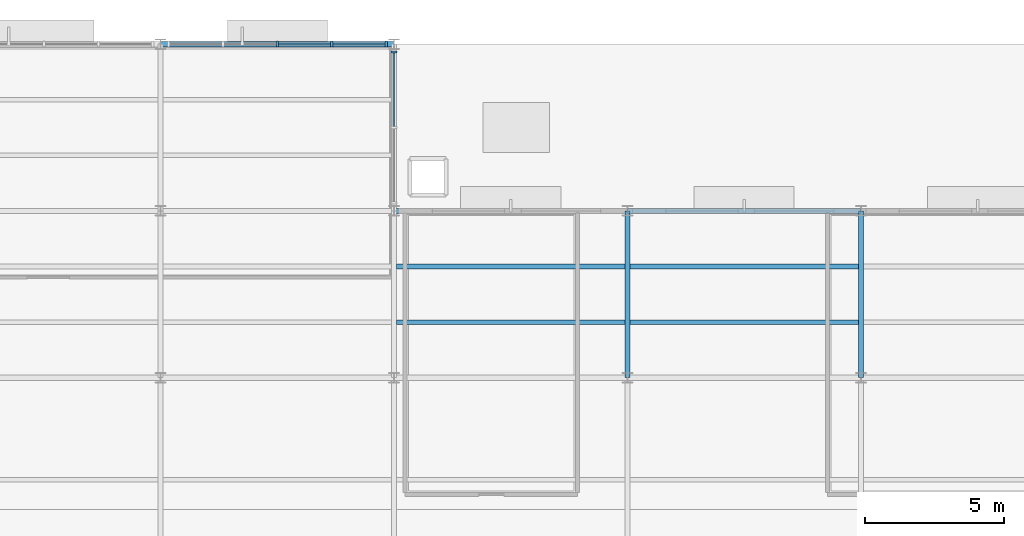
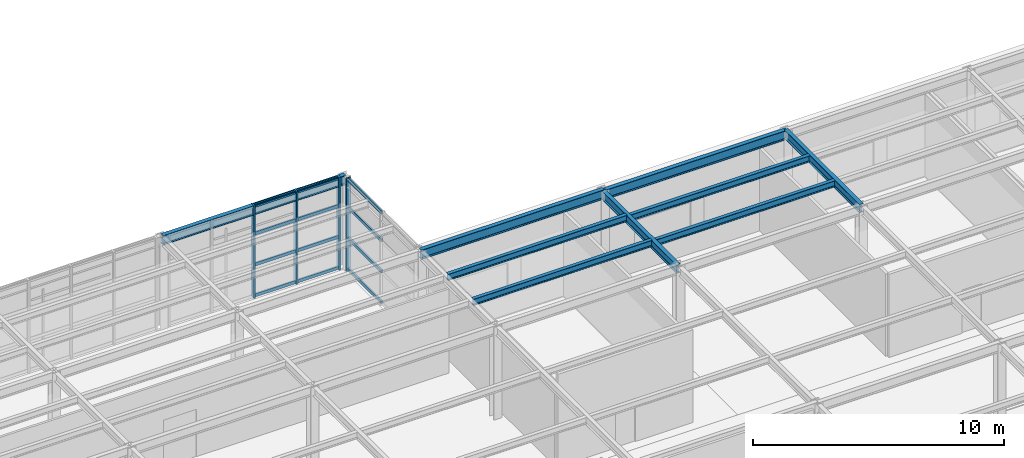
# One storey, part 37 of 82: 16 members, 9 beams, 2 elements without a shape of their own.
"""IFC4 building model written with IfcOpenShell, lengths in metres."""

from ifc_helpers import new_model, si_unit, direction, frame, origin, origin_2d, place, context, subcontext, project, spatial, rectangle, i_section, extrude, material, layer, layer_set, material_profile, profile_set, type_object, element, aggregate, save


model = new_model("IFC4")

# Units and contexts
model_context = context("Model", 3, precision=1e-05, world=origin(), true_north=direction((0.0, 1.0)))
body_context = subcontext(model_context, "Body", "Model", "MODEL_VIEW")
ifc_project = project(units=[si_unit("LENGTHUNIT", "METRE"), si_unit("AREAUNIT", "SQUARE_METRE"), si_unit("VOLUMEUNIT", "CUBIC_METRE"), si_unit("PLANEANGLEUNIT", "RADIAN"), si_unit("MASSUNIT", "GRAM", prefix="KILO")], contexts=[model_context])

# Site, building, storey
site_placement = place(None, origin())
site = spatial("IfcSite", under=ifc_project, at=site_placement, CompositionType="ELEMENT")
building_placement = place(site_placement, origin())
building = spatial("IfcBuilding", under=site, at=building_placement, Name="Sitalva Quay Ferry Terminal", CompositionType="ELEMENT")
storey_placement = place(building_placement, frame((0.0, 0.0, 5.39990234375)))
storey = spatial("IfcBuildingStorey", under=building, at=storey_placement, Name="L02", CompositionType="ELEMENT", Elevation=5.39990234375)

# Beams
ifc_material_1 = material(Name="Structural Steel S355JR", Category="steel")
ifc_material_profile_1 = material_profile(ifc_material_1, i_section(OverallWidth=0.180908203125, OverallDepth=0.4169921875, WebThickness=0.010986328125, FlangeThickness=0.018310546875, FilletRadius=0.012939453125, at=origin_2d()), Name="W410x85")
ifc_profile_set_1 = profile_set([ifc_material_profile_1], Name="Structural Steel S355JR")
beam_type_1 = type_object("IfcBeamType", Name="Beam_W410x85", PredefinedType="BEAM", material=ifc_profile_set_1)
for number, where, z_axis, x_axis, name in (
    (1, (126.0, 100.0, 4.24169921875), (0.0, 1.0, 0.0), (-1.0, 0.0, 0.0), "L02 Primary Y girder 1038"),
    (2, (134.39990234375, 100.0, 4.24169921875), (0.0, 1.0, 0.0), (-1.0, 0.0, 0.0), "L02 Primary Y girder 1086"),
):
    element("IfcBeam", number, at=place(storey_placement, frame(where, z_axis=z_axis, x_axis=x_axis)), inside=storey, type_object=beam_type_1, Name=name, PredefinedType="BEAM", context=body_context, shape_type="SweptSolid", body=[
        extrude(i_section(OverallWidth=0.180908203125, OverallDepth=0.4169921875, WebThickness=0.010986328125, FlangeThickness=0.018310546875, FilletRadius=0.012939453125, at=origin_2d()), origin(), (0.0, 0.0, 1.0), 6.0),
    ])
ifc_material_2 = material(Name="Structural Steel S355JR", Category="steel")
ifc_material_profile_2 = material_profile(ifc_material_2, i_section(OverallWidth=0.19091796875, OverallDepth=0.4599609375, WebThickness=0.010009765625, FlangeThickness=0.01611328125, FilletRadius=0.013916015625, at=origin_2d()), Name="W460x82")
ifc_profile_set_2 = profile_set([ifc_material_profile_2], Name="Structural Steel S355JR")
beam_type_2 = type_object("IfcBeamType", Name="Beam_W460x82", PredefinedType="BEAM", material=ifc_profile_set_2)
for number, where, z_axis, x_axis, name in (
    (3, (117.60009765625, 106.0, 4.27001953125), (1.0, 0.0, 0.0), (0.0, 1.0, 0.0), "L02 Primary X girder 1017"),
    (4, (126.0, 106.0, 4.22021484375), (1.0, 0.0, 0.0), (0.0, 1.0, 0.0), "L02 Primary X girder 1079"),
):
    element("IfcBeam", number, at=place(storey_placement, frame(where, z_axis=z_axis, x_axis=x_axis)), inside=storey, type_object=beam_type_2, Name=name, PredefinedType="BEAM", context=body_context, shape_type="SweptSolid", body=[
        extrude(i_section(OverallWidth=0.19091796875, OverallDepth=0.4599609375, WebThickness=0.010009765625, FlangeThickness=0.01611328125, FilletRadius=0.013916015625, at=origin_2d()), origin(), (0.0, 0.0, 1.0), 8.39990234375),
    ])
beam_placement = place(storey_placement, frame((109.199951171875, 112.0, 4.27001953125), z_axis=(1.0, 0.0, 0.0), x_axis=(0.0, 1.0, 0.0)))
element("IfcBeam", 5, at=beam_placement, inside=storey, type_object=beam_type_2, Name="L02 Primary X girder 1169", PredefinedType="BEAM", context=body_context, shape_type="SweptSolid", body=[
    extrude(i_section(OverallWidth=0.19091796875, OverallDepth=0.4599609375, WebThickness=0.010009765625, FlangeThickness=0.01611328125, FilletRadius=0.013916015625, at=origin_2d()), origin(), (0.0, 0.0, 1.0), 8.400146484375),
])
ifc_material_3 = material(Name="Structural Steel S355JR", Category="steel")
ifc_material_profile_3 = material_profile(ifc_material_3, i_section(OverallWidth=0.166015625, OverallDepth=0.31298828125, WebThickness=0.006591796875, FlangeThickness=0.01123046875, FilletRadius=0.010986328125, at=origin_2d()), Name="W310x45")
ifc_profile_set_3 = profile_set([ifc_material_profile_3], Name="Structural Steel S355JR")
beam_type_3 = type_object("IfcBeamType", Name="Joist_W310x45", PredefinedType="JOIST", material=ifc_profile_set_3)
for number, where, z_axis, x_axis, name in (
    (6, (117.6904296875, 102.0, 4.343505859375), (1.0, 0.0, 0.0), (0.0, 1.0, 0.0), "L02 Secondary joist 1062"),
    (7, (117.6904296875, 104.0, 4.343505859375), (1.0, 0.0, 0.0), (0.0, 1.0, 0.0), "L02 Secondary joist 1068"),
    (8, (126.090576171875, 102.0, 4.293701171875), (1.0, 0.0, 0.0), (0.0, 1.0, 0.0), "L02 Secondary joist 1119"),
    (9, (126.090576171875, 104.0, 4.293701171875), (1.0, 0.0, 0.0), (0.0, 1.0, 0.0), "L02 Secondary joist 1124"),
):
    element("IfcBeam", number, at=place(storey_placement, frame(where, z_axis=z_axis, x_axis=x_axis)), inside=storey, type_object=beam_type_3, Name=name, PredefinedType="JOIST", context=body_context, shape_type="SweptSolid", body=[
        extrude(i_section(OverallWidth=0.166015625, OverallDepth=0.31298828125, WebThickness=0.006591796875, FlangeThickness=0.01123046875, FilletRadius=0.010986328125, at=origin_2d()), origin(), (0.0, 0.0, 1.0), 8.218994140625),
    ])

# Curtain wall, member
ifc_material_4 = material(Name="Anodised Aluminium & Low-E Glazing", Category="aluminium")
ifc_layer = layer(ifc_material_4, 0.159912109375)
ifc_layer_set = layer_set([ifc_layer], Name="Anodised Aluminium & Low-E Glazing")
curtain_wall_type = type_object("IfcCurtainWallType", Name="CW_Office_Unitised", PredefinedType="USERDEFINED", material=ifc_layer_set)
curtain_wall_1_placement = place(storey_placement, origin())
curtain_wall_1 = element("IfcCurtainWall", 10, at=curtain_wall_1_placement, inside=storey, type_object=curtain_wall_type, Name="L02 forecourt east return glazing (CW-L02-114)", ObjectType="CURTAIN_WALL", PredefinedType="USERDEFINED")
ifc_material_5 = material(Name="Anodised Aluminium 6063-T6", Category="aluminium")
ifc_material_profile_4 = material_profile(ifc_material_5, rectangle(XDim=0.074951171875, YDim=0.219970703125, at=origin_2d()), Name="ALU75x220")
ifc_profile_set_4 = profile_set([ifc_material_profile_4], Name="Anodised Aluminium 6063-T6")
member_type_1 = type_object("IfcMemberType", Name="Mullion_Alu_75x160", PredefinedType="MULLION", material=ifc_profile_set_4)
member_1_placement = place(storey_placement, frame((117.60009765625, 111.719970703125, 0.0), z_axis=(0.0, 0.0, 1.0), x_axis=(0.0, 1.0, 0.0)))
member_1 = element("IfcMember", 11, at=member_1_placement, type_object=member_type_1, Name="CW-L02-114-M2", PredefinedType="MULLION", context=body_context, shape_type="SweptSolid", body=[
    extrude(rectangle(XDim=0.074951171875, YDim=0.219970703125, at=origin_2d()), origin(), (0.0, 0.0, 1.0), 4.5),
])

# Curtain wall, members
curtain_wall_2_placement = place(storey_placement, origin())
curtain_wall_2 = element("IfcCurtainWall", 12, at=curtain_wall_2_placement, inside=storey, type_object=curtain_wall_type, Name="L02 forecourt horizontal curtain wall (CW-L02-123)", ObjectType="CURTAIN_WALL", PredefinedType="USERDEFINED")
member_2_placement = place(storey_placement, frame((113.39990234375, 112.0, 0.0), z_axis=(0.0, 0.0, 1.0), x_axis=(1.0, 0.0, 0.0)))
member_2 = element("IfcMember", 13, at=member_2_placement, type_object=member_type_1, Name="CW-L02-123-M2", PredefinedType="MULLION", context=body_context, shape_type="SweptSolid", body=[
    extrude(rectangle(XDim=0.074951171875, YDim=0.219970703125, at=origin_2d()), origin(), (0.0, 0.0, 1.0), 4.5),
])
member_3_placement = place(storey_placement, frame((115.360107421875, 112.0, 0.0), z_axis=(0.0, 0.0, 1.0), x_axis=(1.0, 0.0, 0.0)))
member_3 = element("IfcMember", 14, at=member_3_placement, type_object=member_type_1, Name="CW-L02-123-M3", PredefinedType="MULLION", context=body_context, shape_type="SweptSolid", body=[
    extrude(rectangle(XDim=0.074951171875, YDim=0.219970703125, at=origin_2d()), origin(), (0.0, 0.0, 1.0), 4.5),
])
member_4_placement = place(storey_placement, frame((117.320068359375, 112.0, 0.0), z_axis=(0.0, 0.0, 1.0), x_axis=(1.0, 0.0, 0.0)))
member_4 = element("IfcMember", 15, at=member_4_placement, type_object=member_type_1, Name="CW-L02-123-M4", PredefinedType="MULLION", context=body_context, shape_type="SweptSolid", body=[
    extrude(rectangle(XDim=0.074951171875, YDim=0.219970703125, at=origin_2d()), origin(), (0.0, 0.0, 1.0), 4.5),
])

# Member
ifc_material_6 = material(Name="Anodised Aluminium 6063-T6", Category="aluminium")
ifc_material_profile_5 = material_profile(ifc_material_6, rectangle(XDim=0.074951171875, YDim=0.14990234375, at=origin_2d()), Name="ALU75x150")
ifc_profile_set_5 = profile_set([ifc_material_profile_5], Name="Anodised Aluminium 6063-T6")
member_type_2 = type_object("IfcMemberType", Name="Transom_Alu_75x140", PredefinedType="MULLION", material=ifc_profile_set_5)
member_5_placement = place(storey_placement, frame((117.60009765625, 109.03759765625, 0.0751953125), z_axis=(0.0, 1.0, 0.0), x_axis=(-1.0, 0.0, 0.0)))
member_5 = element("IfcMember", 16, at=member_5_placement, type_object=member_type_2, Name="CW-L02-114-T1-0", ObjectType="TRANSOM", PredefinedType="USERDEFINED", context=body_context, shape_type="SweptSolid", body=[
    extrude(rectangle(XDim=0.074951171875, YDim=0.14990234375, at=origin_2d()), origin(), (0.0, 0.0, 1.0), 2.64501953125),
])

member_6_placement = place(storey_placement, frame((117.60009765625, 109.03759765625, 1.5751953125), z_axis=(0.0, 1.0, 0.0), x_axis=(-1.0, 0.0, 0.0)))
member_6 = element("IfcMember", 17, at=member_6_placement, type_object=member_type_2, Name="CW-L02-114-T1-1", ObjectType="TRANSOM", PredefinedType="USERDEFINED", context=body_context, shape_type="SweptSolid", body=[
    extrude(rectangle(XDim=0.074951171875, YDim=0.14990234375, at=origin_2d()), origin(), (0.0, 0.0, 1.0), 2.64501953125),
])

member_7_placement = place(storey_placement, frame((117.60009765625, 109.03759765625, 3.0751953125), z_axis=(0.0, 1.0, 0.0), x_axis=(-1.0, 0.0, 0.0)))
member_7 = element("IfcMember", 18, at=member_7_placement, type_object=member_type_2, Name="CW-L02-114-T1-2", ObjectType="TRANSOM", PredefinedType="USERDEFINED", context=body_context, shape_type="SweptSolid", body=[
    extrude(rectangle(XDim=0.074951171875, YDim=0.14990234375, at=origin_2d()), origin(), (0.0, 0.0, 1.0), 2.64501953125),
])

member_8_placement = place(storey_placement, frame((117.60009765625, 109.03759765625, 4.425048828125), z_axis=(0.0, 1.0, 0.0), x_axis=(-1.0, 0.0, 0.0)))
member_8 = element("IfcMember", 19, at=member_8_placement, type_object=member_type_2, Name="CW-L02-114-T1-3", ObjectType="TRANSOM", PredefinedType="USERDEFINED", context=body_context, shape_type="SweptSolid", body=[
    extrude(rectangle(XDim=0.074951171875, YDim=0.14990234375, at=origin_2d()), origin(), (0.0, 0.0, 1.0), 2.64501953125),
])

aggregate(curtain_wall_1, [member_1, member_5, member_6, member_7, member_8])

member_9_placement = place(storey_placement, frame((113.4375, 112.0, 0.0751953125), z_axis=(1.0, 0.0, 0.0), x_axis=(0.0, 1.0, 0.0)))
member_9 = element("IfcMember", 20, at=member_9_placement, type_object=member_type_2, Name="CW-L02-123-T2-0", ObjectType="TRANSOM", PredefinedType="USERDEFINED", context=body_context, shape_type="SweptSolid", body=[
    extrude(rectangle(XDim=0.074951171875, YDim=0.14990234375, at=origin_2d()), origin(), (0.0, 0.0, 1.0), 1.885009765625),
])

member_10_placement = place(storey_placement, frame((113.4375, 112.0, 1.5751953125), z_axis=(1.0, 0.0, 0.0), x_axis=(0.0, 1.0, 0.0)))
member_10 = element("IfcMember", 21, at=member_10_placement, type_object=member_type_2, Name="CW-L02-123-T2-1", ObjectType="TRANSOM", PredefinedType="USERDEFINED", context=body_context, shape_type="SweptSolid", body=[
    extrude(rectangle(XDim=0.074951171875, YDim=0.14990234375, at=origin_2d()), origin(), (0.0, 0.0, 1.0), 1.885009765625),
])

member_11_placement = place(storey_placement, frame((113.4375, 112.0, 3.0751953125), z_axis=(1.0, 0.0, 0.0), x_axis=(0.0, 1.0, 0.0)))
member_11 = element("IfcMember", 22, at=member_11_placement, type_object=member_type_2, Name="CW-L02-123-T2-2", ObjectType="TRANSOM", PredefinedType="USERDEFINED", context=body_context, shape_type="SweptSolid", body=[
    extrude(rectangle(XDim=0.074951171875, YDim=0.14990234375, at=origin_2d()), origin(), (0.0, 0.0, 1.0), 1.885009765625),
])

member_12_placement = place(storey_placement, frame((113.4375, 112.0, 4.425048828125), z_axis=(1.0, 0.0, 0.0), x_axis=(0.0, 1.0, 0.0)))
member_12 = element("IfcMember", 23, at=member_12_placement, type_object=member_type_2, Name="CW-L02-123-T2-3", ObjectType="TRANSOM", PredefinedType="USERDEFINED", context=body_context, shape_type="SweptSolid", body=[
    extrude(rectangle(XDim=0.074951171875, YDim=0.14990234375, at=origin_2d()), origin(), (0.0, 0.0, 1.0), 1.885009765625),
])

member_13_placement = place(storey_placement, frame((115.3974609375, 112.0, 0.0751953125), z_axis=(1.0, 0.0, 0.0), x_axis=(0.0, 1.0, 0.0)))
member_13 = element("IfcMember", 24, at=member_13_placement, type_object=member_type_2, Name="CW-L02-123-T3-0", ObjectType="TRANSOM", PredefinedType="USERDEFINED", context=body_context, shape_type="SweptSolid", body=[
    extrude(rectangle(XDim=0.074951171875, YDim=0.14990234375, at=origin_2d()), origin(), (0.0, 0.0, 1.0), 1.885009765625),
])

member_14_placement = place(storey_placement, frame((115.3974609375, 112.0, 1.5751953125), z_axis=(1.0, 0.0, 0.0), x_axis=(0.0, 1.0, 0.0)))
member_14 = element("IfcMember", 25, at=member_14_placement, type_object=member_type_2, Name="CW-L02-123-T3-1", ObjectType="TRANSOM", PredefinedType="USERDEFINED", context=body_context, shape_type="SweptSolid", body=[
    extrude(rectangle(XDim=0.074951171875, YDim=0.14990234375, at=origin_2d()), origin(), (0.0, 0.0, 1.0), 1.885009765625),
])

member_15_placement = place(storey_placement, frame((115.3974609375, 112.0, 3.0751953125), z_axis=(1.0, 0.0, 0.0), x_axis=(0.0, 1.0, 0.0)))
member_15 = element("IfcMember", 26, at=member_15_placement, type_object=member_type_2, Name="CW-L02-123-T3-2", ObjectType="TRANSOM", PredefinedType="USERDEFINED", context=body_context, shape_type="SweptSolid", body=[
    extrude(rectangle(XDim=0.074951171875, YDim=0.14990234375, at=origin_2d()), origin(), (0.0, 0.0, 1.0), 1.885009765625),
])

member_16_placement = place(storey_placement, frame((115.3974609375, 112.0, 4.425048828125), z_axis=(1.0, 0.0, 0.0), x_axis=(0.0, 1.0, 0.0)))
member_16 = element("IfcMember", 27, at=member_16_placement, type_object=member_type_2, Name="CW-L02-123-T3-3", ObjectType="TRANSOM", PredefinedType="USERDEFINED", context=body_context, shape_type="SweptSolid", body=[
    extrude(rectangle(XDim=0.074951171875, YDim=0.14990234375, at=origin_2d()), origin(), (0.0, 0.0, 1.0), 1.885009765625),
])

aggregate(curtain_wall_2, [member_2, member_3, member_4, member_9, member_10, member_11, member_12, member_13, member_14, member_15, member_16])

save(model, "model.ifc")
